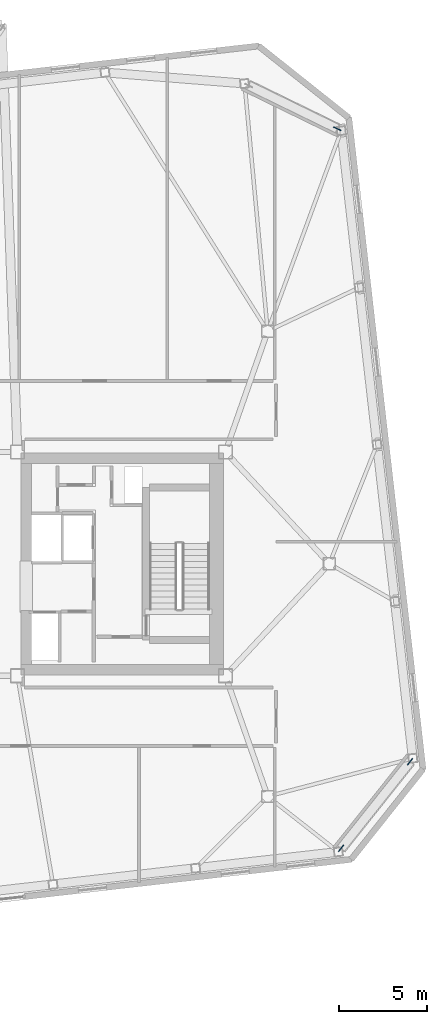
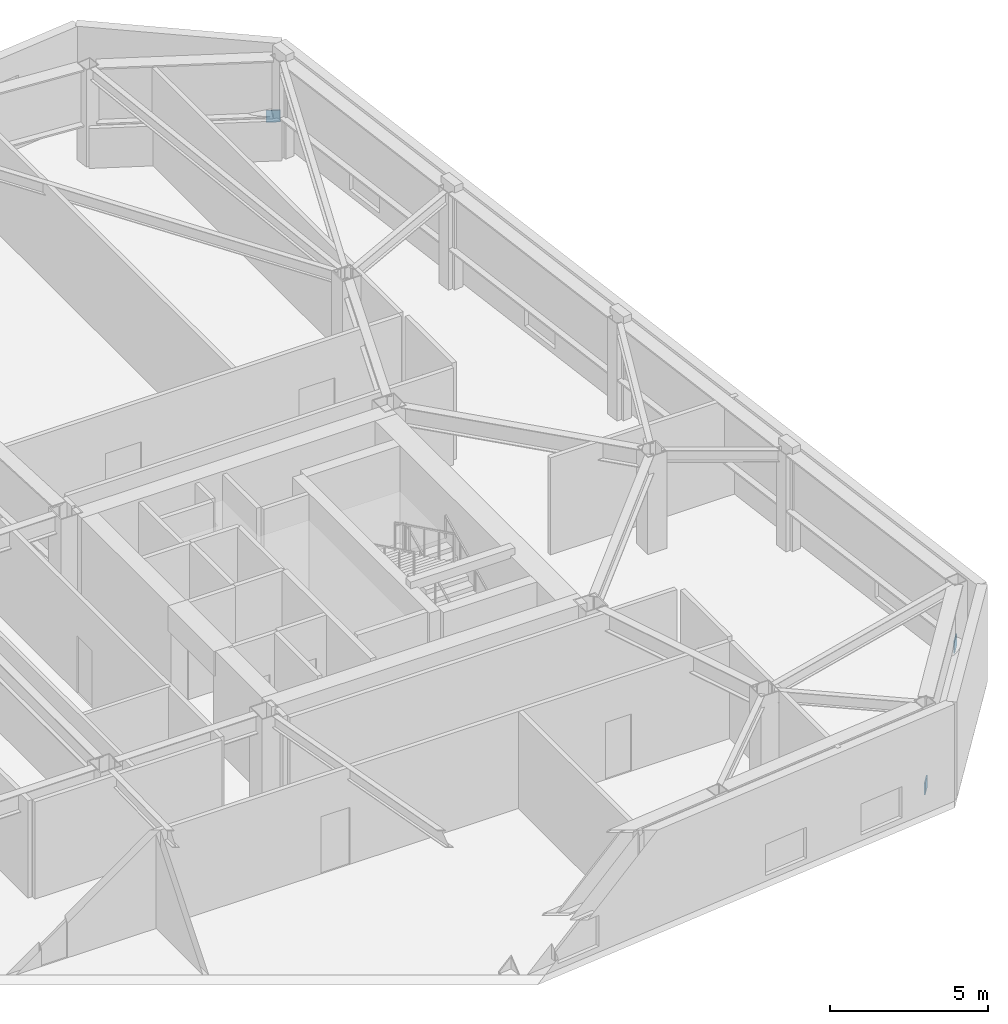
# One storey, part 18 of 20: 3 discrete accessories.
"""IFC4 building model written with IfcOpenShell, lengths in metres."""

from ifc_helpers import new_model, si_unit, direction, frame, origin, origin_2d, place, context, subcontext, project, spatial, rectangle, extrude, material, type_object, element, save


model = new_model("IFC4")

# Units and contexts
model_context = context("Model", 3, precision=1e-05, world=origin(), true_north=direction((0.0, 1.0)))
body_context = subcontext(model_context, "Body", "Model", "MODEL_VIEW")
ifc_project = project(units=[si_unit("LENGTHUNIT", "METRE"), si_unit("AREAUNIT", "SQUARE_METRE"), si_unit("VOLUMEUNIT", "CUBIC_METRE"), si_unit("PLANEANGLEUNIT", "RADIAN"), si_unit("MASSUNIT", "GRAM", prefix="KILO")], contexts=[model_context])

# Site, building, storey
site_placement = place(None, origin())
site = spatial("IfcSite", under=ifc_project, at=site_placement, CompositionType="ELEMENT")
building_placement = place(site_placement, origin())
building = spatial("IfcBuilding", under=site, at=building_placement, Name="Tavrogorsk Clinical Tower", CompositionType="ELEMENT")
storey_placement = place(building_placement, frame((0.0, 0.0, 234.199951171875)))
storey = spatial("IfcBuildingStorey", under=building, at=storey_placement, Name="L54", CompositionType="ELEMENT", Elevation=234.199951171875)

# Discrete accessories
ifc_material = material(Name="Structural steel S440", Category="steel")
discrete_accessory_type = type_object("IfcDiscreteAccessoryType", Name="GussetPlateBracket_25", PredefinedType="BRACKET", material=ifc_material)
for number, where, z_axis, x_axis, name in (
    (1, (28.666748046875, -16.146484375, 0.114501953125), (0.0, 0.0, 1.0), (0.622514636638, 0.782608156852, 0.0), "L54 Brace Gusset Plate EXOCRN-L54-1-A"),
    (2, (32.576171875, -11.231689453125, 1.215576171875), (0.0, 0.0, 1.0), (0.622514636638, 0.782608156852, 0.0), "L54 Brace Gusset Plate EXOCRN-L54-1-B"),
    (3, (28.449462890625, 24.687744140625, 1.210693359375), (0.0, 0.0, 1.0), (0.898794046299, -0.438371146789, 0.0), "L54 Brace Gusset Plate EXOCRN-L54-2-B"),
):
    element("IfcDiscreteAccessory", number, at=place(storey_placement, frame(where, z_axis=z_axis, x_axis=x_axis)), inside=storey, type_object=discrete_accessory_type, Name=name, PredefinedType="BRACKET", context=body_context, shape_type="SweptSolid", body=[
        extrude(rectangle(XDim=0.4599609375, YDim=0.0400390625, at=origin_2d()), origin(), (0.0, 0.0, 1.0), 0.4599609375),
    ])

save(model, "model.ifc")
